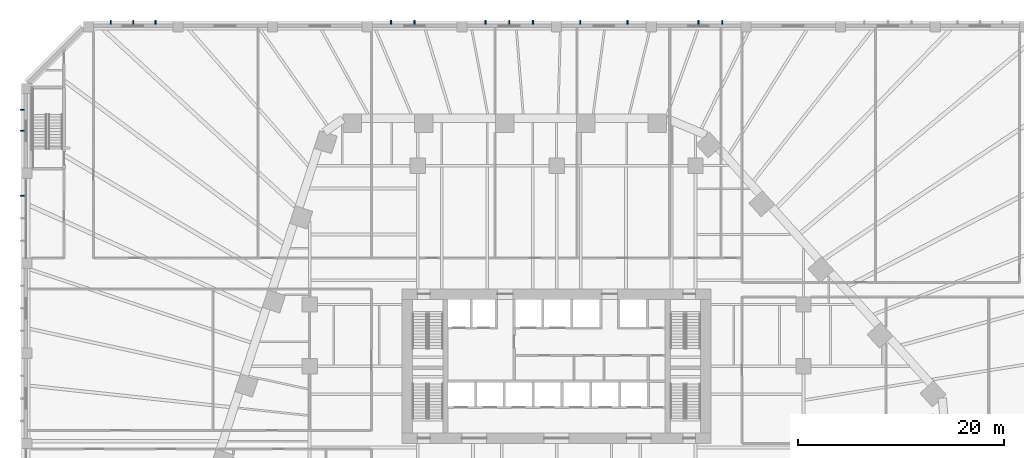
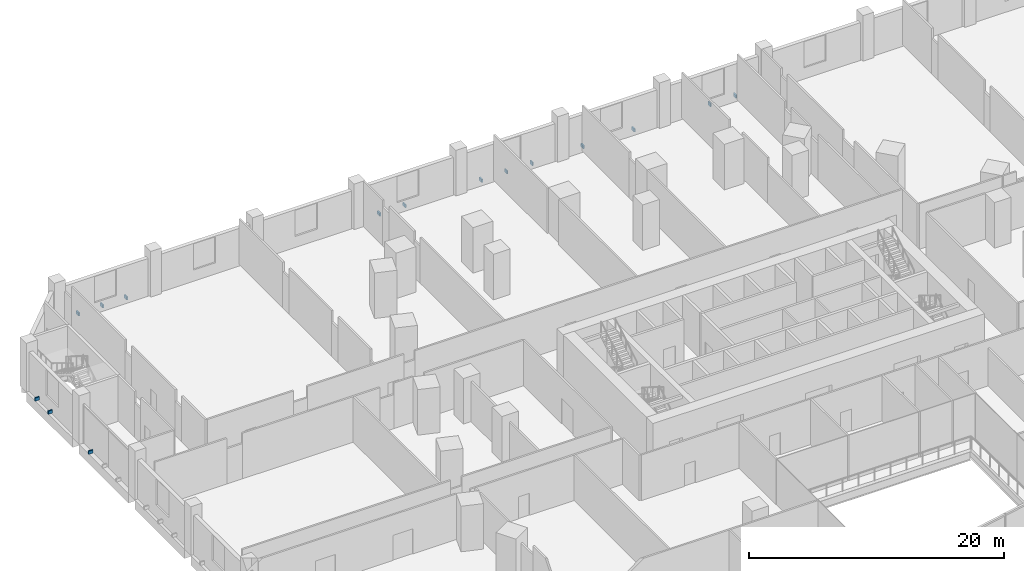
# One storey, part 27 of 33: 15 discrete accessories.
"""IFC4 building model written with IfcOpenShell, lengths in metres."""

from ifc_helpers import new_model, si_unit, direction, frame, origin, origin_2d, place, context, subcontext, project, spatial, rectangle, extrude, material, type_object, element, save


model = new_model("IFC4")

# Units and contexts
model_context = context("Model", 3, precision=1e-05, world=origin(), true_north=direction((0.0, 1.0)))
body_context = subcontext(model_context, "Body", "Model", "MODEL_VIEW")
ifc_project = project(units=[si_unit("LENGTHUNIT", "METRE"), si_unit("AREAUNIT", "SQUARE_METRE"), si_unit("VOLUMEUNIT", "CUBIC_METRE"), si_unit("PLANEANGLEUNIT", "RADIAN"), si_unit("MASSUNIT", "GRAM", prefix="KILO")], contexts=[model_context])

# Site, building, storey
site_placement = place(None, origin())
site = spatial("IfcSite", under=ifc_project, at=site_placement, CompositionType="ELEMENT")
building_placement = place(site_placement, origin())
building = spatial("IfcBuilding", under=site, at=building_placement, Name="Isthmus Gate Tower", CompositionType="ELEMENT")
storey_placement = place(building_placement, frame((0.0, 0.0, 31.5)))
storey = spatial("IfcBuildingStorey", under=building, at=storey_placement, Name="L05", CompositionType="ELEMENT", Elevation=31.5)

# Discrete accessories
ifc_material = material(Name="Structural steel ASTM A572 Gr 50, white paint system", Category="steel")
discrete_accessory_type = type_object("IfcDiscreteAccessoryType", Name="FIN BRACKET 120 X 400 X 300", PredefinedType="BRACKET", material=ifc_material)
for number, where, z_axis, x_axis, name in (
    (1, (16.10009765625, 40.949951171875, -0.14990234375), (0.0, 0.0, 1.0), (0.0, 1.0, 0.0), "FIN BRACKET"),
    (2, (13.800048828125, 40.949951171875, -0.14990234375), (0.0, 0.0, 1.0), (0.0, 1.0, 0.0), "FIN BRACKET"),
    (3, (6.89990234375, 40.949951171875, -0.14990234375), (0.0, 0.0, 1.0), (0.0, 1.0, 0.0), "FIN BRACKET"),
    (4, (2.300048828125, 40.949951171875, -0.14990234375), (0.0, 0.0, 1.0), (0.0, 1.0, 0.0), "FIN BRACKET"),
    (5, (-2.300048828125, 40.949951171875, -0.14990234375), (0.0, 0.0, 1.0), (0.0, 1.0, 0.0), "FIN BRACKET"),
    (6, (-4.60009765625, 40.949951171875, -0.14990234375), (0.0, 0.0, 1.0), (0.0, 1.0, 0.0), "FIN BRACKET"),
    (7, (-6.89990234375, 40.949951171875, -0.14990234375), (0.0, 0.0, 1.0), (0.0, 1.0, 0.0), "FIN BRACKET"),
    (8, (-13.800048828125, 40.949951171875, -0.14990234375), (0.0, 0.0, 1.0), (0.0, 1.0, 0.0), "FIN BRACKET"),
    (9, (-16.10009765625, 40.949951171875, -0.14990234375), (0.0, 0.0, 1.0), (0.0, 1.0, 0.0), "FIN BRACKET"),
    (10, (-38.97509765625, 40.949951171875, -0.14990234375), (0.0, 0.0, 1.0), (0.0, 1.0, 0.0), "FIN BRACKET"),
    (11, (-41.14990234375, 40.949951171875, -0.14990234375), (0.0, 0.0, 1.0), (0.0, 1.0, 0.0), "FIN BRACKET"),
    (12, (-43.324951171875, 40.949951171875, -0.14990234375), (0.0, 0.0, 1.0), (0.0, 1.0, 0.0), "FIN BRACKET"),
    (13, (-51.949951171875, 32.4375, -0.14990234375), (0.0, 0.0, 1.0), (-1.0, 0.0, 0.0), "FIN BRACKET"),
    (14, (-51.949951171875, 30.375, -0.14990234375), (0.0, 0.0, 1.0), (-1.0, 0.0, 0.0), "FIN BRACKET"),
    (15, (-51.949951171875, 24.0625, -0.14990234375), (0.0, 0.0, 1.0), (-1.0, 0.0, 0.0), "FIN BRACKET"),
):
    element("IfcDiscreteAccessory", number, at=place(storey_placement, frame(where, z_axis=z_axis, x_axis=x_axis)), inside=storey, type_object=discrete_accessory_type, Name=name, PredefinedType="BRACKET", context=body_context, shape_type="SweptSolid", body=[
        extrude(rectangle(XDim=0.39990234375, YDim=0.1201171875, at=origin_2d()), origin(), (0.0, 0.0, 1.0), 0.300048828125),
    ])

save(model, "model.ifc")
